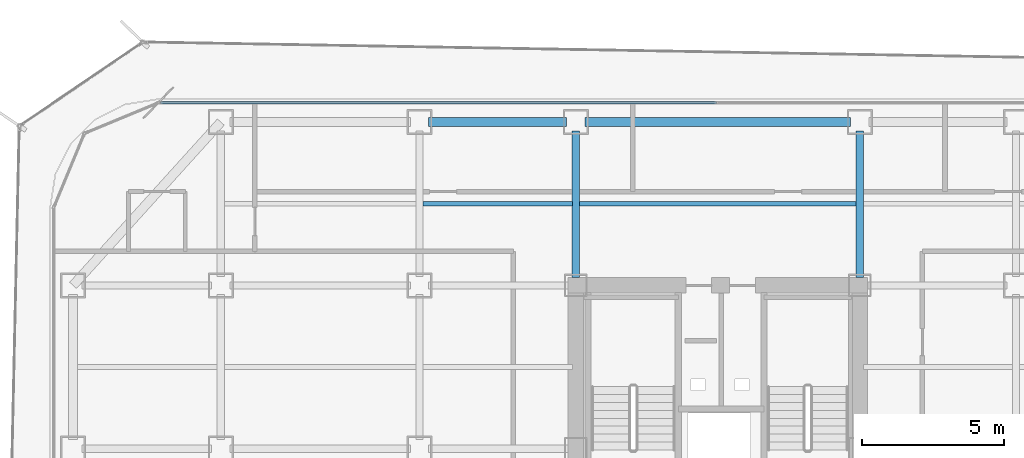
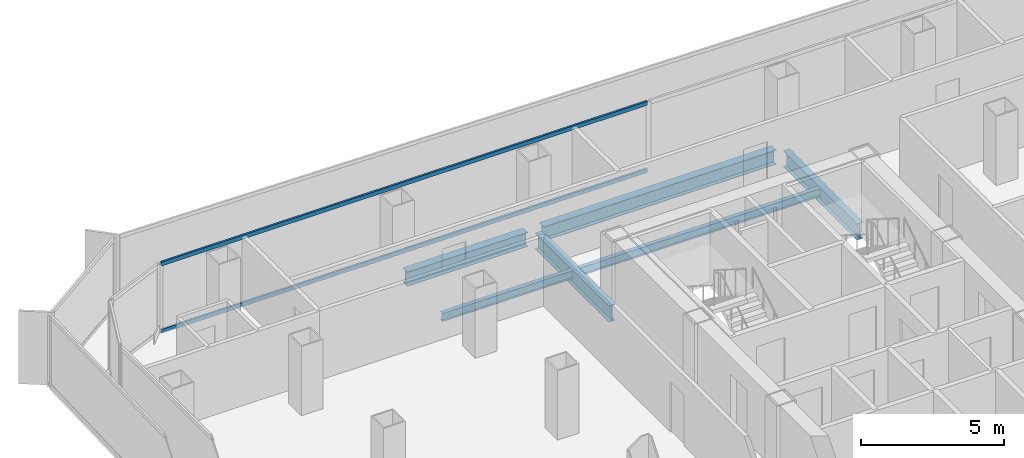
# One storey, part 11 of 21: 6 beams, 2 members, 1 element without a shape of its own.
"""IFC4 building model written with IfcOpenShell, lengths in metres."""

from ifc_helpers import new_model, si_unit, direction, frame, origin, origin_2d, place, context, subcontext, project, spatial, hollow_rectangle, i_section, extrude, source, transform, mapped, material, layer, layer_set, material_profile, profile_set, type_object, element, aggregate, save


model = new_model("IFC4")

# Units and contexts
model_context = context("Model", 3, precision=1e-05, world=origin(), true_north=direction((0.0, 1.0)))
body_context = subcontext(model_context, "Body", "Model", "MODEL_VIEW")
ifc_project = project(units=[si_unit("LENGTHUNIT", "METRE"), si_unit("AREAUNIT", "SQUARE_METRE"), si_unit("VOLUMEUNIT", "CUBIC_METRE"), si_unit("PLANEANGLEUNIT", "RADIAN"), si_unit("MASSUNIT", "GRAM", prefix="KILO")], contexts=[model_context])

# Site, building, storey
site_placement = place(None, origin())
site = spatial("IfcSite", under=ifc_project, at=site_placement, CompositionType="ELEMENT")
building_placement = place(site_placement, origin())
building = spatial("IfcBuilding", under=site, at=building_placement, Name="Kolveth Station Tower", CompositionType="ELEMENT")
storey_placement = place(building_placement, frame((0.0, 0.0, 121.5)))
storey = spatial("IfcBuildingStorey", under=building, at=storey_placement, Name="L33", CompositionType="ELEMENT", Elevation=121.5)

# Beams
ifc_material_1 = material(Name="Steel S355", Category="steel")
ifc_material_profile_1 = material_profile(ifc_material_1, i_section(OverallWidth=0.323974609375, OverallDepth=0.611083984375, WebThickness=0.0126953125, FlangeThickness=0.01904296875, at=origin_2d()), Name="W610x155")
ifc_profile_set_1 = profile_set([ifc_material_profile_1], Name="Steel S355")
beam_type_1 = type_object("IfcBeamType", Name="Beam_SP2", PredefinedType="SPANDREL", material=ifc_profile_set_1)
shared_shape_1 = source(origin(), body_context, "Body", "SweptSolid", [
    extrude(i_section(OverallWidth=0.323974609375, OverallDepth=0.611083984375, WebThickness=0.0126953125, FlangeThickness=0.01904296875, at=origin_2d()), origin(), (0.0, 0.0, 1.0), 4.85986328125),
])
beam_1_placement = place(storey_placement, frame((13.320068359375, 34.5, -0.555419921875), z_axis=(1.0, 0.0, 0.0), x_axis=(0.0, 1.0, 0.0)))
element("IfcBeam", 1, at=beam_1_placement, inside=storey, type_object=beam_type_1, Name="L33 Perimeter Spandrel BM-L33-PN-2", PredefinedType="SPANDREL", context=body_context, shape_type="MappedRepresentation", body=[
    mapped(shared_shape_1, transform((0.0, 0.0, 0.0), x_axis=(1.0, 0.0, 0.0), y_axis=(0.0, 1.0, 0.0), z_axis=(0.0, 0.0, 1.0), scale=1.0)),
])
shared_shape_2 = source(origin(), body_context, "Body", "SweptSolid", [
    extrude(i_section(OverallWidth=0.323974609375, OverallDepth=0.611083984375, WebThickness=0.0126953125, FlangeThickness=0.01904296875, at=origin_2d()), origin(), (0.0, 0.0, 1.0), 9.35986328125),
])
beam_2_placement = place(storey_placement, frame((18.820068359375, 34.5, -0.555419921875), z_axis=(1.0, 0.0, 0.0), x_axis=(0.0, 1.0, 0.0)))
element("IfcBeam", 2, at=beam_2_placement, inside=storey, type_object=beam_type_1, Name="L33 Perimeter Spandrel BM-L33-PN-3", PredefinedType="SPANDREL", context=body_context, shape_type="MappedRepresentation", body=[
    mapped(shared_shape_2, transform((0.0, 0.0, 0.0), x_axis=(1.0, 0.0, 0.0), y_axis=(0.0, 1.0, 0.0), z_axis=(0.0, 0.0, 1.0), scale=1.0)),
])
ifc_material_profile_2 = material_profile(ifc_material_1, i_section(OverallWidth=0.25390625, OverallDepth=0.68798828125, WebThickness=0.01318359375, FlangeThickness=0.02099609375, at=origin_2d()), Name="W690x152")
ifc_profile_set_2 = profile_set([ifc_material_profile_2], Name="Steel S355")
beam_type_2 = type_object("IfcBeamType", Name="Beam_B4", PredefinedType="BEAM", material=ifc_profile_set_2)
shared_shape_3 = source(origin(), body_context, "Body", "SweptSolid", [
    extrude(i_section(OverallWidth=0.25390625, OverallDepth=0.68798828125, WebThickness=0.01318359375, FlangeThickness=0.02099609375, at=origin_2d()), origin(), (0.0, 0.0, 1.0), 5.14990234375),
])
for number, where, z_axis, x_axis, name in (
    (3, (18.5, 29.030029296875, -0.593994140625), (0.0, 1.0, 0.0), (-1.0, 0.0, 0.0), "L33 Primary Girder BM-L33-GX185-6"),
    (4, (28.5, 29.030029296875, -0.593994140625), (0.0, 1.0, 0.0), (-1.0, 0.0, 0.0), "L33 Primary Girder BM-L33-GX285-6"),
):
    element("IfcBeam", number, at=place(storey_placement, frame(where, z_axis=z_axis, x_axis=x_axis)), inside=storey, type_object=beam_type_2, Name=name, PredefinedType="BEAM", context=body_context, shape_type="MappedRepresentation", body=[
        mapped(shared_shape_3, transform((0.0, 0.0, 0.0), x_axis=(1.0, 0.0, 0.0), y_axis=(0.0, 1.0, 0.0), z_axis=(0.0, 0.0, 1.0), scale=1.0)),
    ])
ifc_material_profile_3 = material_profile(ifc_material_1, i_section(OverallWidth=0.1708984375, OverallDepth=0.35205078125, WebThickness=0.0068359375, FlangeThickness=0.009765625, at=origin_2d()), Name="W360x44")
ifc_profile_set_3 = profile_set([ifc_material_profile_3], Name="Steel S355")
beam_type_3 = type_object("IfcBeamType", Name="Beam_J2", PredefinedType="JOIST", material=ifc_profile_set_3)
shared_shape_4 = source(origin(), body_context, "Body", "SweptSolid", [
    extrude(i_section(OverallWidth=0.1708984375, OverallDepth=0.35205078125, WebThickness=0.0068359375, FlangeThickness=0.009765625, at=origin_2d()), origin(), (0.0, 0.0, 1.0), 5.25),
])
beam_3_placement = place(storey_placement, frame((13.125, 31.625, -0.426025390625), z_axis=(1.0, 0.0, 0.0), x_axis=(0.0, 1.0, 0.0)))
element("IfcBeam", 5, at=beam_3_placement, inside=storey, type_object=beam_type_3, Name="L33 Secondary Joist JST-L33-3-6", PredefinedType="JOIST", context=body_context, shape_type="MappedRepresentation", body=[
    mapped(shared_shape_4, transform((0.0, 0.0, 0.0), x_axis=(1.0, 0.0, 0.0), y_axis=(0.0, 1.0, 0.0), z_axis=(0.0, 0.0, 1.0), scale=1.0)),
])
shared_shape_5 = source(origin(), body_context, "Body", "SweptSolid", [
    extrude(i_section(OverallWidth=0.1708984375, OverallDepth=0.35205078125, WebThickness=0.0068359375, FlangeThickness=0.009765625, at=origin_2d()), origin(), (0.0, 0.0, 1.0), 9.75),
])
beam_4_placement = place(storey_placement, frame((18.625, 31.625, -0.426025390625), z_axis=(1.0, 0.0, 0.0), x_axis=(0.0, 1.0, 0.0)))
element("IfcBeam", 6, at=beam_4_placement, inside=storey, type_object=beam_type_3, Name="L33 Secondary Joist JST-L33-4-6", PredefinedType="JOIST", context=body_context, shape_type="MappedRepresentation", body=[
    mapped(shared_shape_5, transform((0.0, 0.0, 0.0), x_axis=(1.0, 0.0, 0.0), y_axis=(0.0, 1.0, 0.0), z_axis=(0.0, 0.0, 1.0), scale=1.0)),
])

# Curtain wall, members
ifc_material_2 = material(Name="Aluminium 6063-T6 and low-E dark glass", Category="aluminium")
ifc_layer = layer(ifc_material_2, 0.18994140625)
ifc_layer_set = layer_set([ifc_layer], Name="Aluminium 6063-T6 and low-E dark glass")
curtain_wall_type = type_object("IfcCurtainWallType", Name="CurtainWall_CW-Z2", PredefinedType="NOTDEFINED", material=ifc_layer_set)
curtain_wall_placement = place(storey_placement, origin())
curtain_wall = element("IfcCurtainWall", 7, at=curtain_wall_placement, inside=storey, type_object=curtain_wall_type, Name="L33 Inner Thermal Curtain Wall 6", PredefinedType="NOTDEFINED")
ifc_material_3 = material(Name="Black anodized aluminium 6063-T6", Category="aluminium")
ifc_material_profile_4 = material_profile(ifc_material_3, hollow_rectangle(XDim=0.080078125, YDim=0.169921875, WallThickness=0.0048828125, at=origin_2d()), Name="ALU-80x170x5")
ifc_profile_set_4 = profile_set([ifc_material_profile_4], Name="Black anodized aluminium 6063-T6")
member_type = type_object("IfcMemberType", Name="Transom_TR2", PredefinedType="USERDEFINED", material=ifc_profile_set_4)
shared_shape_6 = source(origin(), body_context, "Body", "SweptSolid", [
    extrude(hollow_rectangle(XDim=0.080078125, YDim=0.169921875, WallThickness=0.0048828125, at=origin_2d()), origin(), (0.0, 0.0, 1.0), 19.580078125),
])
member_1_placement = place(storey_placement, frame((23.4599609375, 35.179931640625, 0.0400390625), z_axis=(-1.0, 0.0, 0.0), x_axis=(0.0, -1.0, 0.0)))
member_1 = element("IfcMember", 8, at=member_1_placement, type_object=member_type, Name="CW-Z2 transom 2.1", ObjectType="TRANSOM", PredefinedType="USERDEFINED", context=body_context, shape_type="MappedRepresentation", body=[
    mapped(shared_shape_6, transform((0.0, 0.0, 0.0), x_axis=(1.0, 0.0, 0.0), y_axis=(0.0, 1.0, 0.0), z_axis=(0.0, 0.0, 1.0), scale=1.0)),
])
member_2_placement = place(storey_placement, frame((23.4599609375, 35.179931640625, 2.909912109375), z_axis=(-1.0, 0.0, 0.0), x_axis=(0.0, -1.0, 0.0)))
member_2 = element("IfcMember", 9, at=member_2_placement, type_object=member_type, Name="CW-Z2 transom 2.2", ObjectType="TRANSOM", PredefinedType="USERDEFINED", context=body_context, shape_type="MappedRepresentation", body=[
    mapped(shared_shape_6, transform((0.0, 0.0, 0.0), x_axis=(1.0, 0.0, 0.0), y_axis=(0.0, 1.0, 0.0), z_axis=(0.0, 0.0, 1.0), scale=1.0)),
])
aggregate(curtain_wall, [member_1, member_2])

save(model, "model.ifc")
